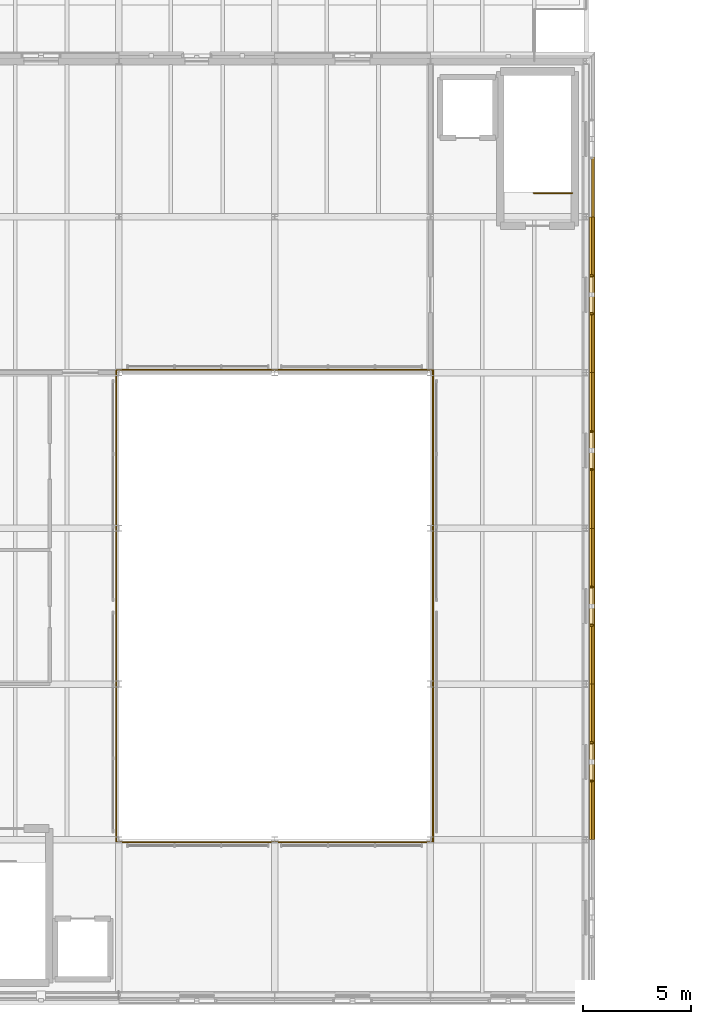
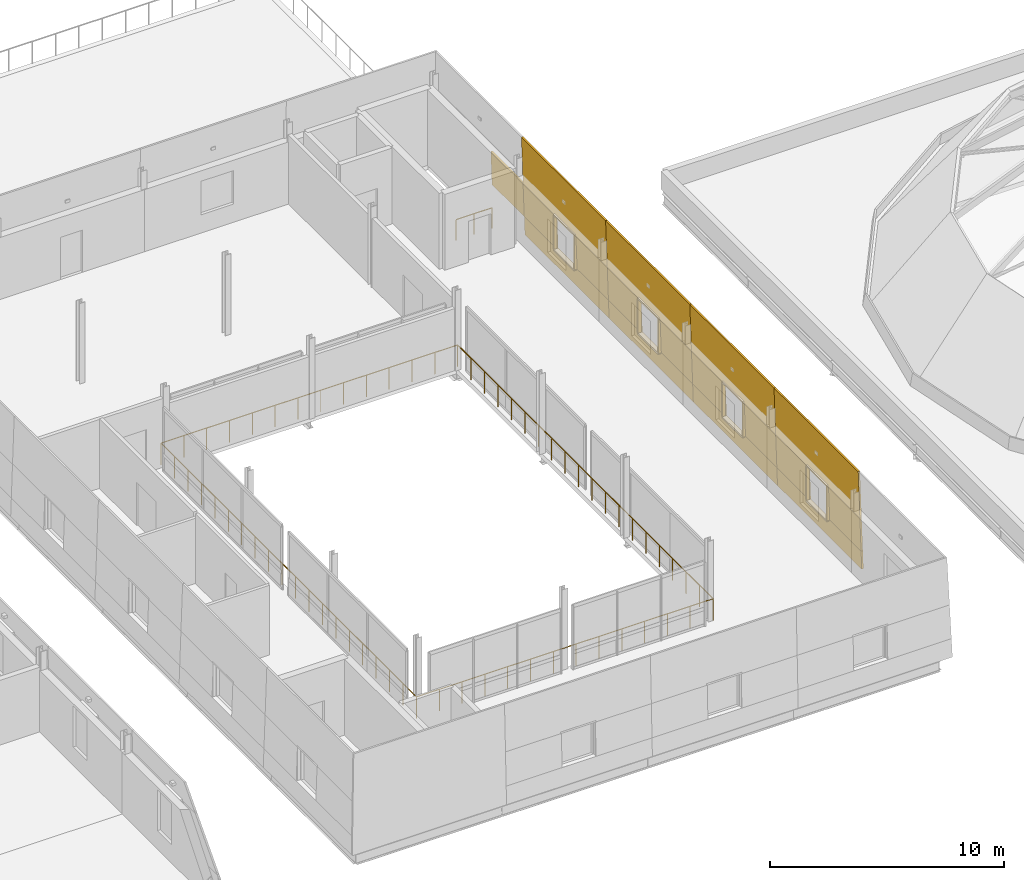
# One storey, part 63 of 66: 33 coverings, 5 railings.
"""IFC4 building model written with IfcOpenShell, lengths in metres."""

from ifc_helpers import new_model, si_unit, direction, frame, origin, origin_2d, place, context, subcontext, project, spatial, polyline, circle, outline, extrude, material, layer, layer_set, type_object, element, save


model = new_model("IFC4")

# Units and contexts
model_context = context("Model", 3, precision=1e-05, world=origin(), true_north=direction((0.0, 1.0)))
body_context = subcontext(model_context, "Body", "Model", "MODEL_VIEW")
ifc_project = project(units=[si_unit("LENGTHUNIT", "METRE"), si_unit("AREAUNIT", "SQUARE_METRE"), si_unit("VOLUMEUNIT", "CUBIC_METRE"), si_unit("PLANEANGLEUNIT", "RADIAN"), si_unit("MASSUNIT", "GRAM", prefix="KILO")], contexts=[model_context])

# Site, building, storey
site_placement = place(None, origin())
site = spatial("IfcSite", under=ifc_project, at=site_placement, CompositionType="ELEMENT")
building_placement = place(site_placement, origin())
building = spatial("IfcBuilding", under=site, at=building_placement, Name="Narikvali Park Central Library", CompositionType="ELEMENT")
storey_placement = place(building_placement, frame((0.0, 0.0, 18.60009765625)))
storey = spatial("IfcBuildingStorey", under=building, at=storey_placement, Name="L04", CompositionType="ELEMENT", Elevation=18.60009765625)

# Railings
ifc_material_1 = material(Name="Laminated Tempered Glass and Stainless Steel", Category="steel")
ifc_layer_1 = layer(ifc_material_1, 0.06005859375, Name="Laminated Tempered Glass and Stainless Steel")
ifc_layer_set_1 = layer_set([ifc_layer_1], Name="Laminated Tempered Glass and Stainless Steel")
railing_type_1 = type_object("IfcRailingType", Name="Atrium Void Tempered Glass Guardrail 1150", PredefinedType="GUARDRAIL", material=ifc_layer_set_1)
railing_1_placement = place(storey_placement, frame((35.8798828125, 64.679931640625, 0.0)))
element("IfcRailing", 1, at=railing_1_placement, inside=storey, type_object=railing_type_1, Name="V4 L04 Void Edge Guardrail S", PredefinedType="GUARDRAIL", context=body_context, shape_type="SweptSolid", body=[
    extrude(circle(Radius=0.02392578125, at=origin_2d()), frame((0.0, 0.0, 1.1259765625), z_axis=(1.0, 0.0, 0.0), x_axis=(0.0, 1.0, 0.0)), (0.0, 0.0, 1.0), 14.64013671875),
    extrude(circle(Radius=0.02099609375, at=origin_2d()), origin(), (0.0, 0.0, 1.0), 1.101806640625),
    extrude(circle(Radius=0.02099609375, at=origin_2d()), frame((1.126220703125, 0.0, 0.0)), (0.0, 0.0, 1.0), 1.101806640625),
    extrude(circle(Radius=0.02099609375, at=origin_2d()), frame((2.25244140625, 0.0, 0.0)), (0.0, 0.0, 1.0), 1.101806640625),
    extrude(circle(Radius=0.02099609375, at=origin_2d()), frame((3.37841796875, 0.0, 0.0)), (0.0, 0.0, 1.0), 1.101806640625),
    extrude(circle(Radius=0.02099609375, at=origin_2d()), frame((4.504638671875, 0.0, 0.0)), (0.0, 0.0, 1.0), 1.101806640625),
    extrude(circle(Radius=0.02099609375, at=origin_2d()), frame((5.630859375, 0.0, 0.0)), (0.0, 0.0, 1.0), 1.101806640625),
    extrude(circle(Radius=0.02099609375, at=origin_2d()), frame((6.757080078125, 0.0, 0.0)), (0.0, 0.0, 1.0), 1.101806640625),
    extrude(circle(Radius=0.02099609375, at=origin_2d()), frame((7.883056640625, 0.0, 0.0)), (0.0, 0.0, 1.0), 1.101806640625),
    extrude(circle(Radius=0.02099609375, at=origin_2d()), frame((9.00927734375, 0.0, 0.0)), (0.0, 0.0, 1.0), 1.101806640625),
    extrude(circle(Radius=0.02099609375, at=origin_2d()), frame((10.135498046875, 0.0, 0.0)), (0.0, 0.0, 1.0), 1.101806640625),
    extrude(circle(Radius=0.02099609375, at=origin_2d()), frame((11.26171875, 0.0, 0.0)), (0.0, 0.0, 1.0), 1.101806640625),
    extrude(circle(Radius=0.02099609375, at=origin_2d()), frame((12.3876953125, 0.0, 0.0)), (0.0, 0.0, 1.0), 1.101806640625),
    extrude(circle(Radius=0.02099609375, at=origin_2d()), frame((13.513916015625, 0.0, 0.0)), (0.0, 0.0, 1.0), 1.101806640625),
    extrude(circle(Radius=0.02099609375, at=origin_2d()), frame((14.64013671875, 0.0, 0.0)), (0.0, 0.0, 1.0), 1.101806640625),
])
railing_2_placement = place(storey_placement, frame((50.52001953125, 64.679931640625, 0.0)))
element("IfcRailing", 2, at=railing_2_placement, inside=storey, type_object=railing_type_1, Name="V4 L04 Void Edge Guardrail E", PredefinedType="GUARDRAIL", context=body_context, shape_type="SweptSolid", body=[
    extrude(circle(Radius=0.02392578125, at=origin_2d()), frame((0.0, 0.0, 1.1259765625), z_axis=(0.0, 1.0, 0.0), x_axis=(-1.0, 0.0, 0.0)), (0.0, 0.0, 1.0), 21.840087890625),
    extrude(circle(Radius=0.02099609375, at=origin_2d()), origin(), (0.0, 0.0, 1.0), 1.101806640625),
    extrude(circle(Radius=0.02099609375, at=origin_2d()), frame((0.0, 1.1494140625, 0.0)), (0.0, 0.0, 1.0), 1.101806640625),
    extrude(circle(Radius=0.02099609375, at=origin_2d()), frame((0.0, 2.299072265625, 0.0)), (0.0, 0.0, 1.0), 1.101806640625),
    extrude(circle(Radius=0.02099609375, at=origin_2d()), frame((0.0, 3.448486328125, 0.0)), (0.0, 0.0, 1.0), 1.101806640625),
    extrude(circle(Radius=0.02099609375, at=origin_2d()), frame((0.0, 4.597900390625, 0.0)), (0.0, 0.0, 1.0), 1.101806640625),
    extrude(circle(Radius=0.02099609375, at=origin_2d()), frame((0.0, 5.747314453125, 0.0)), (0.0, 0.0, 1.0), 1.101806640625),
    extrude(circle(Radius=0.02099609375, at=origin_2d()), frame((0.0, 6.89697265625, 0.0)), (0.0, 0.0, 1.0), 1.101806640625),
    extrude(circle(Radius=0.02099609375, at=origin_2d()), frame((0.0, 8.04638671875, 0.0)), (0.0, 0.0, 1.0), 1.101806640625),
    extrude(circle(Radius=0.02099609375, at=origin_2d()), frame((0.0, 9.19580078125, 0.0)), (0.0, 0.0, 1.0), 1.101806640625),
    extrude(circle(Radius=0.02099609375, at=origin_2d()), frame((0.0, 10.34521484375, 0.0)), (0.0, 0.0, 1.0), 1.101806640625),
    extrude(circle(Radius=0.02099609375, at=origin_2d()), frame((0.0, 11.494873046875, 0.0)), (0.0, 0.0, 1.0), 1.101806640625),
    extrude(circle(Radius=0.02099609375, at=origin_2d()), frame((0.0, 12.644287109375, 0.0)), (0.0, 0.0, 1.0), 1.101806640625),
    extrude(circle(Radius=0.02099609375, at=origin_2d()), frame((0.0, 13.793701171875, 0.0)), (0.0, 0.0, 1.0), 1.101806640625),
    extrude(circle(Radius=0.02099609375, at=origin_2d()), frame((0.0, 14.943115234375, 0.0)), (0.0, 0.0, 1.0), 1.101806640625),
    extrude(circle(Radius=0.02099609375, at=origin_2d()), frame((0.0, 16.0927734375, 0.0)), (0.0, 0.0, 1.0), 1.101806640625),
    extrude(circle(Radius=0.02099609375, at=origin_2d()), frame((0.0, 17.2421875, 0.0)), (0.0, 0.0, 1.0), 1.101806640625),
    extrude(circle(Radius=0.02099609375, at=origin_2d()), frame((0.0, 18.3916015625, 0.0)), (0.0, 0.0, 1.0), 1.101806640625),
    extrude(circle(Radius=0.02099609375, at=origin_2d()), frame((0.0, 19.541015625, 0.0)), (0.0, 0.0, 1.0), 1.101806640625),
    extrude(circle(Radius=0.02099609375, at=origin_2d()), frame((0.0, 20.690673828125, 0.0)), (0.0, 0.0, 1.0), 1.101806640625),
    extrude(circle(Radius=0.02099609375, at=origin_2d()), frame((0.0, 21.840087890625, 0.0)), (0.0, 0.0, 1.0), 1.101806640625),
])
railing_3_placement = place(storey_placement, frame((50.52001953125, 86.52001953125, 0.0)))
element("IfcRailing", 3, at=railing_3_placement, inside=storey, type_object=railing_type_1, Name="V4 L04 Void Edge Guardrail N", PredefinedType="GUARDRAIL", context=body_context, shape_type="SweptSolid", body=[
    extrude(circle(Radius=0.02392578125, at=origin_2d()), frame((0.0, 0.0, 1.1259765625), z_axis=(-1.0, 0.0, 0.0), x_axis=(0.0, -1.0, 0.0)), (0.0, 0.0, 1.0), 14.64013671875),
    extrude(circle(Radius=0.02099609375, at=origin_2d()), origin(), (0.0, 0.0, 1.0), 1.101806640625),
    extrude(circle(Radius=0.02099609375, at=origin_2d()), frame((-1.126220703125, 0.0, 0.0)), (0.0, 0.0, 1.0), 1.101806640625),
    extrude(circle(Radius=0.02099609375, at=origin_2d()), frame((-2.25244140625, 0.0, 0.0)), (0.0, 0.0, 1.0), 1.101806640625),
    extrude(circle(Radius=0.02099609375, at=origin_2d()), frame((-3.37841796875, 0.0, 0.0)), (0.0, 0.0, 1.0), 1.101806640625),
    extrude(circle(Radius=0.02099609375, at=origin_2d()), frame((-4.504638671875, 0.0, 0.0)), (0.0, 0.0, 1.0), 1.101806640625),
    extrude(circle(Radius=0.02099609375, at=origin_2d()), frame((-5.630859375, 0.0, 0.0)), (0.0, 0.0, 1.0), 1.101806640625),
    extrude(circle(Radius=0.02099609375, at=origin_2d()), frame((-6.757080078125, 0.0, 0.0)), (0.0, 0.0, 1.0), 1.101806640625),
    extrude(circle(Radius=0.02099609375, at=origin_2d()), frame((-7.883056640625, 0.0, 0.0)), (0.0, 0.0, 1.0), 1.101806640625),
    extrude(circle(Radius=0.02099609375, at=origin_2d()), frame((-9.00927734375, 0.0, 0.0)), (0.0, 0.0, 1.0), 1.101806640625),
    extrude(circle(Radius=0.02099609375, at=origin_2d()), frame((-10.135498046875, 0.0, 0.0)), (0.0, 0.0, 1.0), 1.101806640625),
    extrude(circle(Radius=0.02099609375, at=origin_2d()), frame((-11.26171875, 0.0, 0.0)), (0.0, 0.0, 1.0), 1.101806640625),
    extrude(circle(Radius=0.02099609375, at=origin_2d()), frame((-12.3876953125, 0.0, 0.0)), (0.0, 0.0, 1.0), 1.101806640625),
    extrude(circle(Radius=0.02099609375, at=origin_2d()), frame((-13.513916015625, 0.0, 0.0)), (0.0, 0.0, 1.0), 1.101806640625),
    extrude(circle(Radius=0.02099609375, at=origin_2d()), frame((-14.64013671875, 0.0, 0.0)), (0.0, 0.0, 1.0), 1.101806640625),
])
railing_4_placement = place(storey_placement, frame((35.8798828125, 86.52001953125, 0.0)))
element("IfcRailing", 4, at=railing_4_placement, inside=storey, type_object=railing_type_1, Name="V4 L04 Void Edge Guardrail W", PredefinedType="GUARDRAIL", context=body_context, shape_type="SweptSolid", body=[
    extrude(circle(Radius=0.02392578125, at=origin_2d()), frame((0.0, 0.0, 1.1259765625), z_axis=(0.0, -1.0, 0.0), x_axis=(1.0, 0.0, 0.0)), (0.0, 0.0, 1.0), 21.840087890625),
    extrude(circle(Radius=0.02099609375, at=origin_2d()), origin(), (0.0, 0.0, 1.0), 1.101806640625),
    extrude(circle(Radius=0.02099609375, at=origin_2d()), frame((0.0, -1.1494140625, 0.0)), (0.0, 0.0, 1.0), 1.101806640625),
    extrude(circle(Radius=0.02099609375, at=origin_2d()), frame((0.0, -2.299072265625, 0.0)), (0.0, 0.0, 1.0), 1.101806640625),
    extrude(circle(Radius=0.02099609375, at=origin_2d()), frame((0.0, -3.448486328125, 0.0)), (0.0, 0.0, 1.0), 1.101806640625),
    extrude(circle(Radius=0.02099609375, at=origin_2d()), frame((0.0, -4.597900390625, 0.0)), (0.0, 0.0, 1.0), 1.101806640625),
    extrude(circle(Radius=0.02099609375, at=origin_2d()), frame((0.0, -5.747314453125, 0.0)), (0.0, 0.0, 1.0), 1.101806640625),
    extrude(circle(Radius=0.02099609375, at=origin_2d()), frame((0.0, -6.89697265625, 0.0)), (0.0, 0.0, 1.0), 1.101806640625),
    extrude(circle(Radius=0.02099609375, at=origin_2d()), frame((0.0, -8.04638671875, 0.0)), (0.0, 0.0, 1.0), 1.101806640625),
    extrude(circle(Radius=0.02099609375, at=origin_2d()), frame((0.0, -9.19580078125, 0.0)), (0.0, 0.0, 1.0), 1.101806640625),
    extrude(circle(Radius=0.02099609375, at=origin_2d()), frame((0.0, -10.34521484375, 0.0)), (0.0, 0.0, 1.0), 1.101806640625),
    extrude(circle(Radius=0.02099609375, at=origin_2d()), frame((0.0, -11.494873046875, 0.0)), (0.0, 0.0, 1.0), 1.101806640625),
    extrude(circle(Radius=0.02099609375, at=origin_2d()), frame((0.0, -12.644287109375, 0.0)), (0.0, 0.0, 1.0), 1.101806640625),
    extrude(circle(Radius=0.02099609375, at=origin_2d()), frame((0.0, -13.793701171875, 0.0)), (0.0, 0.0, 1.0), 1.101806640625),
    extrude(circle(Radius=0.02099609375, at=origin_2d()), frame((0.0, -14.943115234375, 0.0)), (0.0, 0.0, 1.0), 1.101806640625),
    extrude(circle(Radius=0.02099609375, at=origin_2d()), frame((0.0, -16.0927734375, 0.0)), (0.0, 0.0, 1.0), 1.101806640625),
    extrude(circle(Radius=0.02099609375, at=origin_2d()), frame((0.0, -17.2421875, 0.0)), (0.0, 0.0, 1.0), 1.101806640625),
    extrude(circle(Radius=0.02099609375, at=origin_2d()), frame((0.0, -18.3916015625, 0.0)), (0.0, 0.0, 1.0), 1.101806640625),
    extrude(circle(Radius=0.02099609375, at=origin_2d()), frame((0.0, -19.541015625, 0.0)), (0.0, 0.0, 1.0), 1.101806640625),
    extrude(circle(Radius=0.02099609375, at=origin_2d()), frame((0.0, -20.690673828125, 0.0)), (0.0, 0.0, 1.0), 1.101806640625),
    extrude(circle(Radius=0.02099609375, at=origin_2d()), frame((0.0, -21.840087890625, 0.0)), (0.0, 0.0, 1.0), 1.101806640625),
])

# Coverings
ifc_material_2 = material(Name="White Honed Limestone Cladding", Category="masonry")
ifc_layer_2 = layer(ifc_material_2, 0.0849609375, Name="White Honed Limestone Cladding")
ifc_layer_set_2 = layer_set([ifc_layer_2], Name="White Honed Limestone Cladding")
covering_type_1 = type_object("IfcCoveringType", Name="Battered White Limestone Facade Cladding Panel", PredefinedType="CLADDING", material=ifc_layer_set_2)
covering_1_placement = place(storey_placement, frame((58.013427734375, 64.800048828125, 0.0), z_axis=(0.999433733171, 0.0, 0.033648372924), x_axis=(0.0, 1.0, 0.0)))
element("IfcCovering", 5, at=covering_1_placement, inside=storey, type_object=covering_type_1, Name="V4 L04 E Battered Limestone Spandrel B02", PredefinedType="CLADDING", context=body_context, shape_type="SweptSolid", body=[
    extrude(outline(polyline([(0.0, 0.0), (7.199951171875, 0.0), (7.199951171875, 0.950489402495197), (0.0, 0.950489402495197), (0.0, 0.0)])), origin(), (0.0, 0.0, -1.0), 0.0849609375),
])
covering_2_placement = place(storey_placement, frame((57.922607421875, 64.800048828125, 2.699951171875), z_axis=(0.999433239835, 0.0, 0.033663022926), x_axis=(0.0, 1.0, 0.0)))
element("IfcCovering", 6, at=covering_2_placement, inside=storey, type_object=covering_type_1, Name="V4 L04 E Battered Limestone Lintel B02", PredefinedType="CLADDING", context=body_context, shape_type="SweptSolid", body=[
    extrude(outline(polyline([(0.0, 0.0), (7.199951171875, 0.0), (7.199951171875, 2.451340494017387), (0.0, 2.451340494017387), (0.0, 0.0)])), origin(), (0.0, 0.0, -1.0), 0.0849609375),
])
for number, where, z_axis, x_axis, name in (
    (7, (57.9814453125, 64.800048828125, 0.949951171875), (0.999435271004, 0.0, 0.033602664664), (0.0, 1.0, 0.0), "V4 L04 E Battered Limestone Jamb Pier L B02"),
    (8, (57.9814453125, 69.239990234375, 0.949951171875), (0.999435271004, 0.0, 0.033602664664), (0.0, 1.0, 0.0), "V4 L04 E Battered Limestone Jamb Pier R B02"),
):
    element("IfcCovering", number, at=place(storey_placement, frame(where, z_axis=z_axis, x_axis=x_axis)), inside=storey, type_object=covering_type_1, Name=name, PredefinedType="CLADDING", context=body_context, shape_type="SweptSolid", body=[
        extrude(outline(polyline([(0.0, 0.0), (2.760009765625, 0.0), (2.760009765625, 1.7509888341657693), (0.0, 1.7509888341657693), (0.0, 0.0)])), origin(), (0.0, 0.0, -1.0), 0.0849609375),
    ])
covering_3_placement = place(storey_placement, frame((58.013427734375, 72.0, 0.0), z_axis=(0.999433733171, 0.0, 0.033648372924), x_axis=(0.0, 1.0, 0.0)))
element("IfcCovering", 9, at=covering_3_placement, inside=storey, type_object=covering_type_1, Name="V4 L04 E Battered Limestone Spandrel B03", PredefinedType="CLADDING", context=body_context, shape_type="SweptSolid", body=[
    extrude(outline(polyline([(0.0, 0.0), (7.199951171875, 0.0), (7.199951171875, 0.950489402495197), (0.0, 0.950489402495197), (0.0, 0.0)])), origin(), (0.0, 0.0, -1.0), 0.0849609375),
])
covering_4_placement = place(storey_placement, frame((57.922607421875, 72.0, 2.699951171875), z_axis=(0.999433239835, 0.0, 0.033663022926), x_axis=(0.0, 1.0, 0.0)))
element("IfcCovering", 10, at=covering_4_placement, inside=storey, type_object=covering_type_1, Name="V4 L04 E Battered Limestone Lintel B03", PredefinedType="CLADDING", context=body_context, shape_type="SweptSolid", body=[
    extrude(outline(polyline([(0.0, 0.0), (7.199951171875, 0.0), (7.199951171875, 2.451340494017387), (0.0, 2.451340494017387), (0.0, 0.0)])), origin(), (0.0, 0.0, -1.0), 0.0849609375),
])
for number, where, z_axis, x_axis, name in (
    (11, (57.9814453125, 72.0, 0.949951171875), (0.999435271004, 0.0, 0.033602664664), (0.0, 1.0, 0.0), "V4 L04 E Battered Limestone Jamb Pier L B03"),
    (12, (57.9814453125, 76.43994140625, 0.949951171875), (0.999435271004, 0.0, 0.033602664664), (0.0, 1.0, 0.0), "V4 L04 E Battered Limestone Jamb Pier R B03"),
):
    element("IfcCovering", number, at=place(storey_placement, frame(where, z_axis=z_axis, x_axis=x_axis)), inside=storey, type_object=covering_type_1, Name=name, PredefinedType="CLADDING", context=body_context, shape_type="SweptSolid", body=[
        extrude(outline(polyline([(0.0, 0.0), (2.760009765625, 0.0), (2.760009765625, 1.7509888341657693), (0.0, 1.7509888341657693), (0.0, 0.0)])), origin(), (0.0, 0.0, -1.0), 0.0849609375),
    ])
covering_5_placement = place(storey_placement, frame((58.013427734375, 79.199951171875, 0.0), z_axis=(0.999433733171, 0.0, 0.033648372924), x_axis=(0.0, 1.0, 0.0)))
element("IfcCovering", 13, at=covering_5_placement, inside=storey, type_object=covering_type_1, Name="V4 L04 E Battered Limestone Spandrel B04", PredefinedType="CLADDING", context=body_context, shape_type="SweptSolid", body=[
    extrude(outline(polyline([(0.0, 0.0), (7.199951171875, 0.0), (7.199951171875, 0.950489402495197), (0.0, 0.950489402495197), (0.0, 0.0)])), origin(), (0.0, 0.0, -1.0), 0.0849609375),
])
covering_6_placement = place(storey_placement, frame((57.922607421875, 79.199951171875, 2.699951171875), z_axis=(0.999433239835, 0.0, 0.033663022926), x_axis=(0.0, 1.0, 0.0)))
element("IfcCovering", 14, at=covering_6_placement, inside=storey, type_object=covering_type_1, Name="V4 L04 E Battered Limestone Lintel B04", PredefinedType="CLADDING", context=body_context, shape_type="SweptSolid", body=[
    extrude(outline(polyline([(0.0, 0.0), (7.199951171875, 0.0), (7.199951171875, 2.451340494017387), (0.0, 2.451340494017387), (0.0, 0.0)])), origin(), (0.0, 0.0, -1.0), 0.0849609375),
])
for number, where, z_axis, x_axis, name in (
    (15, (57.9814453125, 79.199951171875, 0.949951171875), (0.999435271004, 0.0, 0.033602664664), (0.0, 1.0, 0.0), "V4 L04 E Battered Limestone Jamb Pier L B04"),
    (16, (57.9814453125, 83.639892578125, 0.949951171875), (0.999435271004, 0.0, 0.033602664664), (0.0, 1.0, 0.0), "V4 L04 E Battered Limestone Jamb Pier R B04"),
):
    element("IfcCovering", number, at=place(storey_placement, frame(where, z_axis=z_axis, x_axis=x_axis)), inside=storey, type_object=covering_type_1, Name=name, PredefinedType="CLADDING", context=body_context, shape_type="SweptSolid", body=[
        extrude(outline(polyline([(0.0, 0.0), (2.760009765625, 0.0), (2.760009765625, 1.7509888341657693), (0.0, 1.7509888341657693), (0.0, 0.0)])), origin(), (0.0, 0.0, -1.0), 0.0849609375),
    ])
covering_7_placement = place(storey_placement, frame((58.013427734375, 86.39990234375, 0.0), z_axis=(0.999433733171, 0.0, 0.033648372924), x_axis=(0.0, 1.0, 0.0)))
element("IfcCovering", 17, at=covering_7_placement, inside=storey, type_object=covering_type_1, Name="V4 L04 E Battered Limestone Spandrel B05", PredefinedType="CLADDING", context=body_context, shape_type="SweptSolid", body=[
    extrude(outline(polyline([(0.0, 0.0), (7.2001953125, 0.0), (7.2001953125, 0.9504894024951969), (0.0, 0.9504894024951969), (0.0, 0.0)])), origin(), (0.0, 0.0, -1.0), 0.0849609375),
])
covering_8_placement = place(storey_placement, frame((57.922607421875, 86.39990234375, 2.699951171875), z_axis=(0.999433239835, 0.0, 0.033663022926), x_axis=(0.0, 1.0, 0.0)))
element("IfcCovering", 18, at=covering_8_placement, inside=storey, type_object=covering_type_1, Name="V4 L04 E Battered Limestone Lintel B05", PredefinedType="CLADDING", context=body_context, shape_type="SweptSolid", body=[
    extrude(outline(polyline([(0.0, 0.0), (7.2001953125, 0.0), (7.2001953125, 2.4513404940173866), (0.0, 2.4513404940173866), (0.0, 0.0)])), origin(), (0.0, 0.0, -1.0), 0.0849609375),
])
for number, where, z_axis, x_axis, name in (
    (19, (57.9814453125, 86.39990234375, 0.949951171875), (0.999435271004, 0.0, 0.033602664664), (0.0, 1.0, 0.0), "V4 L04 E Battered Limestone Jamb Pier L B05"),
    (20, (57.9814453125, 90.840087890625, 0.949951171875), (0.999435271004, 0.0, 0.033602664664), (0.0, 1.0, 0.0), "V4 L04 E Battered Limestone Jamb Pier R B05"),
    (21, (57.9814453125, 93.60009765625, 0.949951171875), (0.999435271004, 0.0, 0.033602664664), (0.0, 1.0, 0.0), "V4 L04 E Battered Limestone Jamb Pier L B06"),
):
    element("IfcCovering", number, at=place(storey_placement, frame(where, z_axis=z_axis, x_axis=x_axis)), inside=storey, type_object=covering_type_1, Name=name, PredefinedType="CLADDING", context=body_context, shape_type="SweptSolid", body=[
        extrude(outline(polyline([(0.0, 0.0), (2.760009765625, 0.0), (2.760009765625, 1.7509888341657693), (0.0, 1.7509888341657693), (0.0, 0.0)])), origin(), (0.0, 0.0, -1.0), 0.0849609375),
    ])
ifc_layer_3 = layer(ifc_material_2, 0.080078125, Name="White Honed Limestone Cladding")
ifc_layer_set_3 = layer_set([ifc_layer_3], Name="White Honed Limestone Cladding")
covering_type_2 = type_object("IfcCoveringType", Name="Deep Carved White Limestone Window Reveal", PredefinedType="CLADDING", material=ifc_layer_set_3)
covering_9_placement = place(storey_placement, frame((0.0, 0.0, 2.699951171875)))
element("IfcCovering", 22, at=covering_9_placement, inside=storey, type_object=covering_type_2, Name="Deep Stone Reveal Head V4-RVL-L04-E-B02", PredefinedType="CLADDING", context=body_context, shape_type="SweptSolid", body=[
    extrude(outline(polyline([(57.764892578125, 67.52001953125), (57.764892578125, 69.280029296875), (57.922607421875, 69.280029296875), (57.922607421875, 67.52001953125), (57.764892578125, 67.52001953125)])), origin(), (0.0, 0.0, 1.0), 0.079833984375),
])
covering_10_placement = place(storey_placement, frame((0.0, 0.0, 0.869873046875)))
element("IfcCovering", 23, at=covering_10_placement, inside=storey, type_object=covering_type_2, Name="Deep Stone Reveal Sill V4-RVL-L04-E-B02", PredefinedType="CLADDING", context=body_context, shape_type="SweptSolid", body=[
    extrude(outline(polyline([(57.764892578125, 67.52001953125), (57.764892578125, 69.280029296875), (57.9814453125, 69.280029296875), (57.9814453125, 67.52001953125), (57.764892578125, 67.52001953125)])), origin(), (0.0, 0.0, 1.0), 0.080078125),
])
covering_11_placement = place(storey_placement, frame((0.0, 0.0, 0.949951171875)))
element("IfcCovering", 24, at=covering_11_placement, inside=storey, type_object=covering_type_2, Name="Deep Stone Reveal Jamb L V4-RVL-L04-E-B02", PredefinedType="CLADDING", context=body_context, shape_type="SweptSolid", body=[
    extrude(outline(polyline([(57.764892578125, 67.47998046875), (57.764892578125, 67.56005859375), (57.922607421875, 67.56005859375), (57.922607421875, 67.47998046875), (57.764892578125, 67.47998046875)])), origin(), (0.0, 0.0, 1.0), 1.75),
])
covering_12_placement = place(storey_placement, frame((0.0, 0.0, 0.949951171875)))
element("IfcCovering", 25, at=covering_12_placement, inside=storey, type_object=covering_type_2, Name="Deep Stone Reveal Jamb R V4-RVL-L04-E-B02", PredefinedType="CLADDING", context=body_context, shape_type="SweptSolid", body=[
    extrude(outline(polyline([(57.764892578125, 69.239990234375), (57.764892578125, 69.320068359375), (57.922607421875, 69.320068359375), (57.922607421875, 69.239990234375), (57.764892578125, 69.239990234375)])), origin(), (0.0, 0.0, 1.0), 1.75),
])
covering_13_placement = place(storey_placement, frame((0.0, 0.0, 2.699951171875)))
element("IfcCovering", 26, at=covering_13_placement, inside=storey, type_object=covering_type_2, Name="Deep Stone Reveal Head V4-RVL-L04-E-B03", PredefinedType="CLADDING", context=body_context, shape_type="SweptSolid", body=[
    extrude(outline(polyline([(57.764892578125, 74.719970703125), (57.764892578125, 76.47998046875), (57.922607421875, 76.47998046875), (57.922607421875, 74.719970703125), (57.764892578125, 74.719970703125)])), origin(), (0.0, 0.0, 1.0), 0.079833984375),
])
covering_14_placement = place(storey_placement, frame((0.0, 0.0, 0.869873046875)))
element("IfcCovering", 27, at=covering_14_placement, inside=storey, type_object=covering_type_2, Name="Deep Stone Reveal Sill V4-RVL-L04-E-B03", PredefinedType="CLADDING", context=body_context, shape_type="SweptSolid", body=[
    extrude(outline(polyline([(57.764892578125, 74.719970703125), (57.764892578125, 76.47998046875), (57.9814453125, 76.47998046875), (57.9814453125, 74.719970703125), (57.764892578125, 74.719970703125)])), origin(), (0.0, 0.0, 1.0), 0.080078125),
])
covering_15_placement = place(storey_placement, frame((0.0, 0.0, 0.949951171875)))
element("IfcCovering", 28, at=covering_15_placement, inside=storey, type_object=covering_type_2, Name="Deep Stone Reveal Jamb L V4-RVL-L04-E-B03", PredefinedType="CLADDING", context=body_context, shape_type="SweptSolid", body=[
    extrude(outline(polyline([(57.764892578125, 74.679931640625), (57.764892578125, 74.760009765625), (57.922607421875, 74.760009765625), (57.922607421875, 74.679931640625), (57.764892578125, 74.679931640625)])), origin(), (0.0, 0.0, 1.0), 1.75),
])
covering_16_placement = place(storey_placement, frame((0.0, 0.0, 0.949951171875)))
element("IfcCovering", 29, at=covering_16_placement, inside=storey, type_object=covering_type_2, Name="Deep Stone Reveal Jamb R V4-RVL-L04-E-B03", PredefinedType="CLADDING", context=body_context, shape_type="SweptSolid", body=[
    extrude(outline(polyline([(57.764892578125, 76.43994140625), (57.764892578125, 76.52001953125), (57.922607421875, 76.52001953125), (57.922607421875, 76.43994140625), (57.764892578125, 76.43994140625)])), origin(), (0.0, 0.0, 1.0), 1.75),
])
covering_17_placement = place(storey_placement, frame((0.0, 0.0, 2.699951171875)))
element("IfcCovering", 30, at=covering_17_placement, inside=storey, type_object=covering_type_2, Name="Deep Stone Reveal Head V4-RVL-L04-E-B04", PredefinedType="CLADDING", context=body_context, shape_type="SweptSolid", body=[
    extrude(outline(polyline([(57.764892578125, 81.919921875), (57.764892578125, 83.679931640625), (57.922607421875, 83.679931640625), (57.922607421875, 81.919921875), (57.764892578125, 81.919921875)])), origin(), (0.0, 0.0, 1.0), 0.079833984375),
])
covering_18_placement = place(storey_placement, frame((0.0, 0.0, 0.869873046875)))
element("IfcCovering", 31, at=covering_18_placement, inside=storey, type_object=covering_type_2, Name="Deep Stone Reveal Sill V4-RVL-L04-E-B04", PredefinedType="CLADDING", context=body_context, shape_type="SweptSolid", body=[
    extrude(outline(polyline([(57.764892578125, 81.919921875), (57.764892578125, 83.679931640625), (57.9814453125, 83.679931640625), (57.9814453125, 81.919921875), (57.764892578125, 81.919921875)])), origin(), (0.0, 0.0, 1.0), 0.080078125),
])
covering_19_placement = place(storey_placement, frame((0.0, 0.0, 0.949951171875)))
element("IfcCovering", 32, at=covering_19_placement, inside=storey, type_object=covering_type_2, Name="Deep Stone Reveal Jamb L V4-RVL-L04-E-B04", PredefinedType="CLADDING", context=body_context, shape_type="SweptSolid", body=[
    extrude(outline(polyline([(57.764892578125, 81.8798828125), (57.764892578125, 81.9599609375), (57.922607421875, 81.9599609375), (57.922607421875, 81.8798828125), (57.764892578125, 81.8798828125)])), origin(), (0.0, 0.0, 1.0), 1.75),
])
covering_20_placement = place(storey_placement, frame((0.0, 0.0, 0.949951171875)))
element("IfcCovering", 33, at=covering_20_placement, inside=storey, type_object=covering_type_2, Name="Deep Stone Reveal Jamb R V4-RVL-L04-E-B04", PredefinedType="CLADDING", context=body_context, shape_type="SweptSolid", body=[
    extrude(outline(polyline([(57.764892578125, 83.639892578125), (57.764892578125, 83.719970703125), (57.922607421875, 83.719970703125), (57.922607421875, 83.639892578125), (57.764892578125, 83.639892578125)])), origin(), (0.0, 0.0, 1.0), 1.75),
])
covering_21_placement = place(storey_placement, frame((0.0, 0.0, 2.699951171875)))
element("IfcCovering", 34, at=covering_21_placement, inside=storey, type_object=covering_type_2, Name="Deep Stone Reveal Head V4-RVL-L04-E-B05", PredefinedType="CLADDING", context=body_context, shape_type="SweptSolid", body=[
    extrude(outline(polyline([(57.764892578125, 89.1201171875), (57.764892578125, 90.8798828125), (57.922607421875, 90.8798828125), (57.922607421875, 89.1201171875), (57.764892578125, 89.1201171875)])), origin(), (0.0, 0.0, 1.0), 0.079833984375),
])
covering_22_placement = place(storey_placement, frame((0.0, 0.0, 0.869873046875)))
element("IfcCovering", 35, at=covering_22_placement, inside=storey, type_object=covering_type_2, Name="Deep Stone Reveal Sill V4-RVL-L04-E-B05", PredefinedType="CLADDING", context=body_context, shape_type="SweptSolid", body=[
    extrude(outline(polyline([(57.764892578125, 89.1201171875), (57.764892578125, 90.8798828125), (57.9814453125, 90.8798828125), (57.9814453125, 89.1201171875), (57.764892578125, 89.1201171875)])), origin(), (0.0, 0.0, 1.0), 0.080078125),
])
covering_23_placement = place(storey_placement, frame((0.0, 0.0, 0.949951171875)))
element("IfcCovering", 36, at=covering_23_placement, inside=storey, type_object=covering_type_2, Name="Deep Stone Reveal Jamb L V4-RVL-L04-E-B05", PredefinedType="CLADDING", context=body_context, shape_type="SweptSolid", body=[
    extrude(outline(polyline([(57.764892578125, 89.080078125), (57.764892578125, 89.159912109375), (57.922607421875, 89.159912109375), (57.922607421875, 89.080078125), (57.764892578125, 89.080078125)])), origin(), (0.0, 0.0, 1.0), 1.75),
])
covering_24_placement = place(storey_placement, frame((0.0, 0.0, 0.949951171875)))
element("IfcCovering", 37, at=covering_24_placement, inside=storey, type_object=covering_type_2, Name="Deep Stone Reveal Jamb R V4-RVL-L04-E-B05", PredefinedType="CLADDING", context=body_context, shape_type="SweptSolid", body=[
    extrude(outline(polyline([(57.764892578125, 90.840087890625), (57.764892578125, 90.919921875), (57.922607421875, 90.919921875), (57.922607421875, 90.840087890625), (57.764892578125, 90.840087890625)])), origin(), (0.0, 0.0, 1.0), 1.75),
])

# Railing
ifc_material_3 = material(Name="Powder-Coated Steel S275", Category="steel")
ifc_layer_4 = layer(ifc_material_3, 0.050048828125, Name="Powder-Coated Steel S275")
ifc_layer_set_4 = layer_set([ifc_layer_4], Name="Powder-Coated Steel S275")
railing_type_2 = type_object("IfcRailingType", Name="Stair Well Steel Guardrail 1100", PredefinedType="GUARDRAIL", material=ifc_layer_set_4)
railing_5_placement = place(storey_placement, frame((56.949951171875, 94.699951171875, 0.0)))
element("IfcRailing", 38, at=railing_5_placement, inside=storey, type_object=railing_type_2, Name="L04 ST-08 top well guard 1", PredefinedType="GUARDRAIL", context=body_context, shape_type="SweptSolid", body=[
    extrude(circle(Radius=0.02392578125, at=origin_2d()), frame((0.0, 0.0, 1.076171875), z_axis=(-1.0, 0.0, 0.0), x_axis=(0.0, -1.0, 0.0)), (0.0, 0.0, 1.0), 1.780029296875),
    extrude(circle(Radius=0.02099609375, at=origin_2d()), origin(), (0.0, 0.0, 1.0), 1.052001953125),
    extrude(circle(Radius=0.02099609375, at=origin_2d()), frame((-0.89013671875, 0.0, 0.0)), (0.0, 0.0, 1.0), 1.052001953125),
    extrude(circle(Radius=0.02099609375, at=origin_2d()), frame((-1.780029296875, 0.0, 0.0)), (0.0, 0.0, 1.0), 1.052001953125),
])

save(model, "model.ifc")
